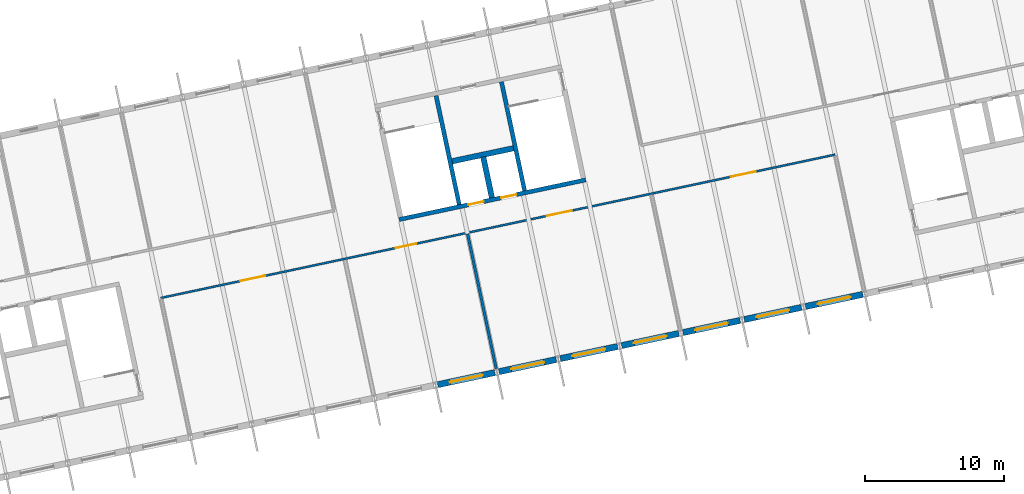
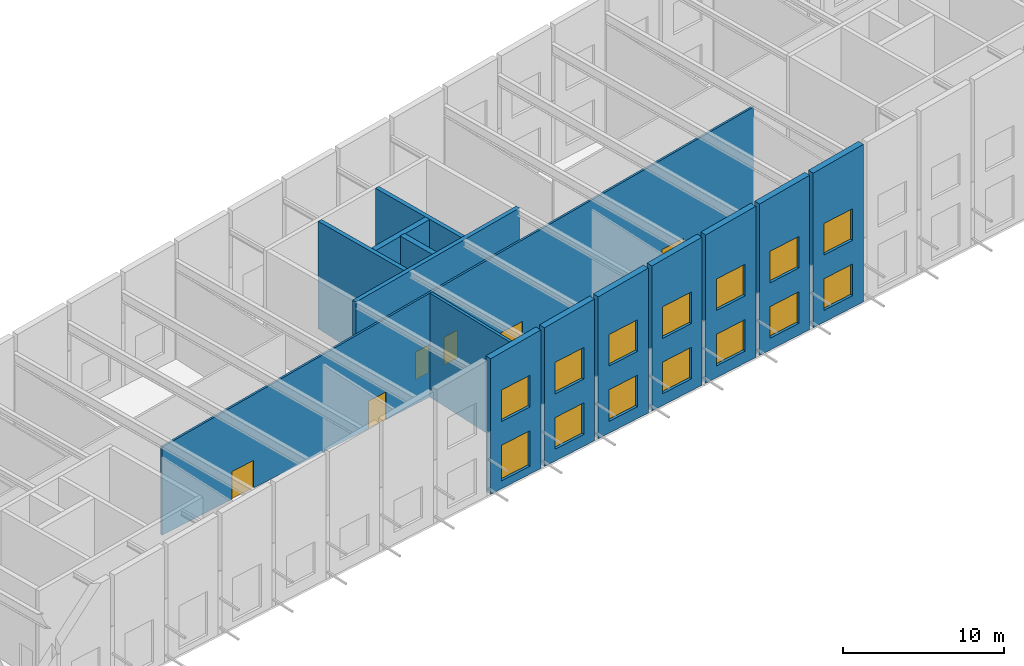
# One storey, part 42 of 69: 14 walls, 14 windows, 6 doors, 20 openings.
"""IFC4 building model written with IfcOpenShell, lengths in metres."""

from ifc_helpers import new_model, si_unit, direction, frame, frame_2d, origin, place, context, subcontext, project, spatial, polyline, rectangle, outline, extrude, material, layer, layer_set, type_object, element, fill, save


model = new_model("IFC4")

# Units and contexts
model_context = context("Model", 3, precision=1e-05, world=origin(), true_north=direction((0.0, 1.0)))
body_context = subcontext(model_context, "Body", "Model", "MODEL_VIEW")
ifc_project = project(units=[si_unit("LENGTHUNIT", "METRE"), si_unit("AREAUNIT", "SQUARE_METRE"), si_unit("VOLUMEUNIT", "CUBIC_METRE"), si_unit("PLANEANGLEUNIT", "RADIAN"), si_unit("MASSUNIT", "GRAM", prefix="KILO")], contexts=[model_context])

# Site, building, storey
site_placement = place(None, origin())
site = spatial("IfcSite", under=ifc_project, at=site_placement, CompositionType="ELEMENT")
building_placement = place(site_placement, origin())
building = spatial("IfcBuilding", under=site, at=building_placement, Name="Okhra Congress Centre", CompositionType="ELEMENT")
storey_placement = place(building_placement, frame((0.0, 0.0, 16.800048828125)))
storey = spatial("IfcBuildingStorey", under=building, at=storey_placement, Name="L03", CompositionType="ELEMENT", Elevation=16.800048828125)

# Wall
ifc_material_1 = material(Name="Double gypsum board on steel studs with mineral wool", Category="steel")
ifc_layer_1 = layer(ifc_material_1, 0.199951171875)
ifc_layer_set_1 = layer_set([ifc_layer_1], Name="Acoustic partition 200")
wall_type_1 = type_object("IfcWallType", Name="Acoustic partition 200", PredefinedType="PARTITIONING", material=ifc_layer_set_1)
wall_1_placement = place(storey_placement, frame((104.98095703125, 36.38525390625, 0.0), z_axis=(0.0, 0.0, 1.0), x_axis=(-0.207927890391, 0.978144157268, 0.0)))
element("IfcWall", 1, at=wall_1_placement, inside=storey, type_object=wall_type_1, Name="Partition S L03", PredefinedType="PARTITIONING", context=body_context, shape_type="SweptSolid", body=[
    extrude(outline(polyline([(0.0, 0.0), (9.92529296875, 0.0), (9.925048828125, 7.895751953125), (0.0, 8.09716796875), (0.0, 0.0)])), frame((0.0, 0.10009765625, 0.0), z_axis=(0.0, -1.0, 0.0), x_axis=(1.0, 0.0, 0.0)), (0.0, 0.0, 1.0), 0.199951171875),
])

# Wall, openings, windows
ifc_material_2 = material(Name="Insulated metal panel on steel stud (mineral wool, vapour barrier)", Category="steel")
ifc_layer_2 = layer(ifc_material_2, 0.449951171875)
ifc_layer_set_2 = layer_set([ifc_layer_2], Name="Insulated wall 450")
wall_type_2 = type_object("IfcWallType", Name="Insulated wall 450", PredefinedType="SOLIDWALL", material=ifc_layer_set_2)
wall_2_placement = place(storey_placement, frame((100.772705078125, 35.2607421875, 0.0), z_axis=(0.0, 0.0, 1.0), x_axis=(0.978143927149, 0.207928972925, 0.0)))
wall_2 = element("IfcWall", 2, at=wall_2_placement, inside=storey, type_object=wall_type_2, Name="External wall S10 L03", PredefinedType="SOLIDWALL", context=body_context, shape_type="SweptSolid", body=[
    extrude(outline(polyline([(0.0, 0.0), (4.199951171875, 0.0), (4.199951171875, 10.519775390625), (0.0, 10.294921875), (0.0, 0.0)])), frame((0.0, 0.22509765625, 0.0), z_axis=(0.0, -1.0, 0.0), x_axis=(1.0, 0.0, 0.0)), (0.0, 0.0, 1.0), 0.449951171875),
])
opening_1_placement = place(wall_2_placement, frame((0.89990234375, 0.0, 0.60009765625)))
opening_1 = element("IfcOpeningElement", 3, at=opening_1_placement, cuts=wall_2, Name="Opening WN23", PredefinedType="OPENING", context=body_context, shape_type="SweptSolid", body=[
    extrude(rectangle(XDim=2.39990234375, YDim=2.699951171875, at=frame_2d((1.199951171875, 1.35009765625))), frame((0.0, 0.23486328125, 0.0), z_axis=(0.0, -1.0, 0.0), x_axis=(1.0, 0.0, 0.0)), (0.0, 0.0, 1.0), 0.469970703125),
])
opening_2_placement = place(wall_2_placement, frame((0.89990234375, 0.0, 5.10009765625)))
opening_2 = element("IfcOpeningElement", 4, at=opening_2_placement, cuts=wall_2, Name="Opening WN22", PredefinedType="OPENING", context=body_context, shape_type="SweptSolid", body=[
    extrude(rectangle(XDim=2.39990234375, YDim=2.39990234375, at=frame_2d((1.199951171875, 1.199951171875))), frame((0.0, 0.23486328125, 0.0), z_axis=(0.0, -1.0, 0.0), x_axis=(1.0, 0.0, 0.0)), (0.0, 0.0, 1.0), 0.469970703125),
])
ifc_material_3 = material(Name="Thermally broken aluminium frame, triple glazing", Category="aluminium")
window_type_1 = type_object("IfcWindowType", Name="Casement window 2400x2700", PartitioningType="SINGLE_PANEL", PredefinedType="WINDOW", material=ifc_material_3)
window_1_placement = place(opening_1_placement, origin())
window_1 = element("IfcWindow", 5, at=window_1_placement, inside=storey, type_object=window_type_1, Name="BX.WIN.L03.11", OverallHeight=2.699951171875, OverallWidth=2.39990234375, PartitioningType="SINGLE_PANEL", PredefinedType="WINDOW", context=body_context, shape_type="SweptSolid", body=[
    extrude(rectangle(XDim=2.39990234375, YDim=2.699951171875, at=frame_2d((1.199951171875, 1.35009765625))), frame((0.0, 0.030029296875, 0.0), z_axis=(0.0, -1.0, 0.0), x_axis=(1.0, 0.0, 0.0)), (0.0, 0.0, 1.0), 0.06005859375),
])
fill(opening_1, window_1)
window_type_2 = type_object("IfcWindowType", Name="Fixed window 2400x2400", PartitioningType="SINGLE_PANEL", PredefinedType="WINDOW", material=ifc_material_3)
window_2_placement = place(opening_2_placement, origin())
window_2 = element("IfcWindow", 6, at=window_2_placement, inside=storey, type_object=window_type_2, Name="BX.WIN.L03.12", OverallHeight=2.39990234375, OverallWidth=2.39990234375, PartitioningType="SINGLE_PANEL", PredefinedType="WINDOW", context=body_context, shape_type="SweptSolid", body=[
    extrude(rectangle(XDim=2.39990234375, YDim=2.39990234375, at=frame_2d((1.199951171875, 1.199951171875))), frame((0.0, 0.030029296875, 0.0), z_axis=(0.0, -1.0, 0.0), x_axis=(1.0, 0.0, 0.0)), (0.0, 0.0, 1.0), 0.06005859375),
])
fill(opening_2, window_2)

wall_3_placement = place(storey_placement, frame((105.17431640625, 36.196533203125, 0.0), z_axis=(0.0, 0.0, 1.0), x_axis=(0.978155748334, 0.207873355681, 0.0)))
wall_3 = element("IfcWall", 7, at=wall_3_placement, inside=storey, type_object=wall_type_2, Name="External wall S11 L03", PredefinedType="SOLIDWALL", context=body_context, shape_type="SweptSolid", body=[
    extrude(outline(polyline([(0.0, 0.0), (4.199951171875, 0.0), (4.199951171875, 10.760498046875), (0.0, 10.53564453125), (0.0, 0.0)])), frame((0.0, 0.22509765625, 0.0), z_axis=(0.0, -1.0, 0.0), x_axis=(1.0, 0.0, 0.0)), (0.0, 0.0, 1.0), 0.449951171875),
])
opening_3_placement = place(wall_3_placement, frame((0.89990234375, 0.0, 0.89990234375)))
opening_3 = element("IfcOpeningElement", 8, at=opening_3_placement, cuts=wall_3, Name="Opening WN22", PredefinedType="OPENING", context=body_context, shape_type="SweptSolid", body=[
    extrude(rectangle(XDim=2.39990234375, YDim=2.39990234375, at=frame_2d((1.199951171875, 1.199951171875))), frame((0.0, 0.23486328125, 0.0), z_axis=(0.0, -1.0, 0.0), x_axis=(1.0, 0.0, 0.0)), (0.0, 0.0, 1.0), 0.469970703125),
])
opening_4_placement = place(wall_3_placement, frame((0.89990234375, 0.0, 5.10009765625)))
opening_4 = element("IfcOpeningElement", 9, at=opening_4_placement, cuts=wall_3, Name="Opening WN22", PredefinedType="OPENING", context=body_context, shape_type="SweptSolid", body=[
    extrude(rectangle(XDim=2.39990234375, YDim=2.39990234375, at=frame_2d((1.199951171875, 1.199951171875))), frame((0.0, 0.23486328125, 0.0), z_axis=(0.0, -1.0, 0.0), x_axis=(1.0, 0.0, 0.0)), (0.0, 0.0, 1.0), 0.469970703125),
])
window_3_placement = place(opening_3_placement, origin())
window_3 = element("IfcWindow", 10, at=window_3_placement, inside=storey, type_object=window_type_2, Name="BX.WIN.L03.13", OverallHeight=2.39990234375, OverallWidth=2.39990234375, PartitioningType="SINGLE_PANEL", PredefinedType="WINDOW", context=body_context, shape_type="SweptSolid", body=[
    extrude(rectangle(XDim=2.39990234375, YDim=2.39990234375, at=frame_2d((1.199951171875, 1.199951171875))), frame((0.0, 0.030029296875, 0.0), z_axis=(0.0, -1.0, 0.0), x_axis=(1.0, 0.0, 0.0)), (0.0, 0.0, 1.0), 0.06005859375),
])
fill(opening_3, window_3)
window_4_placement = place(opening_4_placement, origin())
window_4 = element("IfcWindow", 11, at=window_4_placement, inside=storey, type_object=window_type_2, Name="BX.WIN.L03.14", OverallHeight=2.39990234375, OverallWidth=2.39990234375, PartitioningType="SINGLE_PANEL", PredefinedType="WINDOW", context=body_context, shape_type="SweptSolid", body=[
    extrude(rectangle(XDim=2.39990234375, YDim=2.39990234375, at=frame_2d((1.199951171875, 1.199951171875))), frame((0.0, 0.030029296875, 0.0), z_axis=(0.0, -1.0, 0.0), x_axis=(1.0, 0.0, 0.0)), (0.0, 0.0, 1.0), 0.06005859375),
])
fill(opening_4, window_4)

wall_4_placement = place(storey_placement, frame((109.575927734375, 37.132080078125, 0.0), z_axis=(0.0, 0.0, 1.0), x_axis=(0.978146440129, 0.207917150959, 0.0)))
wall_4 = element("IfcWall", 12, at=wall_4_placement, inside=storey, type_object=wall_type_2, Name="External wall S12 L03", PredefinedType="SOLIDWALL", context=body_context, shape_type="SweptSolid", body=[
    extrude(outline(polyline([(0.0, 0.0), (4.2001953125, 0.0), (4.199951171875, 11.001220703125), (0.0, 10.7763671875), (0.0, 0.0)])), frame((0.0, 0.22509765625, 0.0), z_axis=(0.0, -1.0, 0.0), x_axis=(1.0, 0.0, 0.0)), (0.0, 0.0, 1.0), 0.449951171875),
])
opening_5_placement = place(wall_4_placement, frame((0.89990234375, 0.0, 0.89990234375)))
opening_5 = element("IfcOpeningElement", 13, at=opening_5_placement, cuts=wall_4, Name="Opening WN22", PredefinedType="OPENING", context=body_context, shape_type="SweptSolid", body=[
    extrude(rectangle(XDim=2.39990234375, YDim=2.39990234375, at=frame_2d((1.199951171875, 1.199951171875))), frame((0.0, 0.23486328125, 0.0), z_axis=(0.0, -1.0, 0.0), x_axis=(1.0, 0.0, 0.0)), (0.0, 0.0, 1.0), 0.469970703125),
])
opening_6_placement = place(wall_4_placement, frame((0.89990234375, 0.0, 5.10009765625)))
opening_6 = element("IfcOpeningElement", 14, at=opening_6_placement, cuts=wall_4, Name="Opening WN22", PredefinedType="OPENING", context=body_context, shape_type="SweptSolid", body=[
    extrude(rectangle(XDim=2.39990234375, YDim=2.39990234375, at=frame_2d((1.199951171875, 1.199951171875))), frame((0.0, 0.23486328125, 0.0), z_axis=(0.0, -1.0, 0.0), x_axis=(1.0, 0.0, 0.0)), (0.0, 0.0, 1.0), 0.469970703125),
])
window_5_placement = place(opening_5_placement, origin())
window_5 = element("IfcWindow", 15, at=window_5_placement, inside=storey, type_object=window_type_2, Name="BX.WIN.L03.15", OverallHeight=2.39990234375, OverallWidth=2.39990234375, PartitioningType="SINGLE_PANEL", PredefinedType="WINDOW", context=body_context, shape_type="SweptSolid", body=[
    extrude(rectangle(XDim=2.39990234375, YDim=2.39990234375, at=frame_2d((1.199951171875, 1.199951171875))), frame((0.0, 0.030029296875, 0.0), z_axis=(0.0, -1.0, 0.0), x_axis=(1.0, 0.0, 0.0)), (0.0, 0.0, 1.0), 0.06005859375),
])
fill(opening_5, window_5)
window_6_placement = place(opening_6_placement, origin())
window_6 = element("IfcWindow", 16, at=window_6_placement, inside=storey, type_object=window_type_2, Name="BX.WIN.L03.16", OverallHeight=2.39990234375, OverallWidth=2.39990234375, PartitioningType="SINGLE_PANEL", PredefinedType="WINDOW", context=body_context, shape_type="SweptSolid", body=[
    extrude(rectangle(XDim=2.39990234375, YDim=2.39990234375, at=frame_2d((1.199951171875, 1.199951171875))), frame((0.0, 0.030029296875, 0.0), z_axis=(0.0, -1.0, 0.0), x_axis=(1.0, 0.0, 0.0)), (0.0, 0.0, 1.0), 0.06005859375),
])
fill(opening_6, window_6)

wall_5_placement = place(storey_placement, frame((113.977783203125, 38.067626953125, 0.0), z_axis=(0.0, 0.0, 1.0), x_axis=(0.978143927149, 0.207928972925, 0.0)))
wall_5 = element("IfcWall", 17, at=wall_5_placement, inside=storey, type_object=wall_type_2, Name="External wall S13 L03", PredefinedType="SOLIDWALL", context=body_context, shape_type="SweptSolid", body=[
    extrude(outline(polyline([(0.0, 0.0), (4.199951171875, 0.0), (4.199951171875, 11.241943359375), (0.0, 11.017333984375), (0.0, 0.0)])), frame((0.0, 0.22509765625, 0.0), z_axis=(0.0, -1.0, 0.0), x_axis=(1.0, 0.0, 0.0)), (0.0, 0.0, 1.0), 0.449951171875),
])
opening_7_placement = place(wall_5_placement, frame((0.89990234375, 0.0, 0.89990234375)))
opening_7 = element("IfcOpeningElement", 18, at=opening_7_placement, cuts=wall_5, Name="Opening WN22", PredefinedType="OPENING", context=body_context, shape_type="SweptSolid", body=[
    extrude(rectangle(XDim=2.39990234375, YDim=2.39990234375, at=frame_2d((1.199951171875, 1.199951171875))), frame((0.0, 0.23486328125, 0.0), z_axis=(0.0, -1.0, 0.0), x_axis=(1.0, 0.0, 0.0)), (0.0, 0.0, 1.0), 0.469970703125),
])
opening_8_placement = place(wall_5_placement, frame((0.89990234375, 0.0, 5.10009765625)))
opening_8 = element("IfcOpeningElement", 19, at=opening_8_placement, cuts=wall_5, Name="Opening WN22", PredefinedType="OPENING", context=body_context, shape_type="SweptSolid", body=[
    extrude(rectangle(XDim=2.39990234375, YDim=2.39990234375, at=frame_2d((1.199951171875, 1.199951171875))), frame((0.0, 0.23486328125, 0.0), z_axis=(0.0, -1.0, 0.0), x_axis=(1.0, 0.0, 0.0)), (0.0, 0.0, 1.0), 0.469970703125),
])
window_7_placement = place(opening_7_placement, origin())
window_7 = element("IfcWindow", 20, at=window_7_placement, inside=storey, type_object=window_type_2, Name="BX.WIN.L03.17", OverallHeight=2.39990234375, OverallWidth=2.39990234375, PartitioningType="SINGLE_PANEL", PredefinedType="WINDOW", context=body_context, shape_type="SweptSolid", body=[
    extrude(rectangle(XDim=2.39990234375, YDim=2.39990234375, at=frame_2d((1.199951171875, 1.199951171875))), frame((0.0, 0.030029296875, 0.0), z_axis=(0.0, -1.0, 0.0), x_axis=(1.0, 0.0, 0.0)), (0.0, 0.0, 1.0), 0.06005859375),
])
fill(opening_7, window_7)
window_8_placement = place(opening_8_placement, origin())
window_8 = element("IfcWindow", 21, at=window_8_placement, inside=storey, type_object=window_type_2, Name="BX.WIN.L03.18", OverallHeight=2.39990234375, OverallWidth=2.39990234375, PartitioningType="SINGLE_PANEL", PredefinedType="WINDOW", context=body_context, shape_type="SweptSolid", body=[
    extrude(rectangle(XDim=2.39990234375, YDim=2.39990234375, at=frame_2d((1.199951171875, 1.199951171875))), frame((0.0, 0.030029296875, 0.0), z_axis=(0.0, -1.0, 0.0), x_axis=(1.0, 0.0, 0.0)), (0.0, 0.0, 1.0), 0.06005859375),
])
fill(opening_8, window_8)

wall_6_placement = place(storey_placement, frame((118.37939453125, 39.003173828125, 0.0), z_axis=(0.0, 0.0, 1.0), x_axis=(0.978143927149, 0.207928972925, 0.0)))
wall_6 = element("IfcWall", 22, at=wall_6_placement, inside=storey, type_object=wall_type_2, Name="External wall S14 L03", PredefinedType="SOLIDWALL", context=body_context, shape_type="SweptSolid", body=[
    extrude(outline(polyline([(0.0, 0.0), (4.199951171875, 0.0), (4.199951171875, 11.482666015625), (0.0, 11.258056640625), (0.0, 0.0)])), frame((0.0, 0.22509765625, 0.0), z_axis=(0.0, -1.0, 0.0), x_axis=(1.0, 0.0, 0.0)), (0.0, 0.0, 1.0), 0.449951171875),
])
opening_9_placement = place(wall_6_placement, frame((0.89990234375, 0.0, 0.89990234375)))
opening_9 = element("IfcOpeningElement", 23, at=opening_9_placement, cuts=wall_6, Name="Opening WN22", PredefinedType="OPENING", context=body_context, shape_type="SweptSolid", body=[
    extrude(rectangle(XDim=2.39990234375, YDim=2.39990234375, at=frame_2d((1.199951171875, 1.199951171875))), frame((0.0, 0.23486328125, 0.0), z_axis=(0.0, -1.0, 0.0), x_axis=(1.0, 0.0, 0.0)), (0.0, 0.0, 1.0), 0.469970703125),
])
opening_10_placement = place(wall_6_placement, frame((0.89990234375, 0.0, 5.10009765625)))
opening_10 = element("IfcOpeningElement", 24, at=opening_10_placement, cuts=wall_6, Name="Opening WN22", PredefinedType="OPENING", context=body_context, shape_type="SweptSolid", body=[
    extrude(rectangle(XDim=2.39990234375, YDim=2.39990234375, at=frame_2d((1.199951171875, 1.199951171875))), frame((0.0, 0.23486328125, 0.0), z_axis=(0.0, -1.0, 0.0), x_axis=(1.0, 0.0, 0.0)), (0.0, 0.0, 1.0), 0.469970703125),
])
window_9_placement = place(opening_9_placement, origin())
window_9 = element("IfcWindow", 25, at=window_9_placement, inside=storey, type_object=window_type_2, Name="BX.WIN.L03.19", OverallHeight=2.39990234375, OverallWidth=2.39990234375, PartitioningType="SINGLE_PANEL", PredefinedType="WINDOW", context=body_context, shape_type="SweptSolid", body=[
    extrude(rectangle(XDim=2.39990234375, YDim=2.39990234375, at=frame_2d((1.199951171875, 1.199951171875))), frame((0.0, 0.030029296875, 0.0), z_axis=(0.0, -1.0, 0.0), x_axis=(1.0, 0.0, 0.0)), (0.0, 0.0, 1.0), 0.06005859375),
])
fill(opening_9, window_9)
window_10_placement = place(opening_10_placement, origin())
window_10 = element("IfcWindow", 26, at=window_10_placement, inside=storey, type_object=window_type_2, Name="BX.WIN.L03.20", OverallHeight=2.39990234375, OverallWidth=2.39990234375, PartitioningType="SINGLE_PANEL", PredefinedType="WINDOW", context=body_context, shape_type="SweptSolid", body=[
    extrude(rectangle(XDim=2.39990234375, YDim=2.39990234375, at=frame_2d((1.199951171875, 1.199951171875))), frame((0.0, 0.030029296875, 0.0), z_axis=(0.0, -1.0, 0.0), x_axis=(1.0, 0.0, 0.0)), (0.0, 0.0, 1.0), 0.06005859375),
])
fill(opening_10, window_10)

wall_7_placement = place(storey_placement, frame((122.781005859375, 39.93896484375, 0.0), z_axis=(0.0, 0.0, 1.0), x_axis=(0.978155748334, 0.207873355681, 0.0)))
wall_7 = element("IfcWall", 27, at=wall_7_placement, inside=storey, type_object=wall_type_2, Name="External wall S15 L03", PredefinedType="SOLIDWALL", context=body_context, shape_type="SweptSolid", body=[
    extrude(outline(polyline([(0.0, 0.0), (4.199951171875, 0.0), (4.199951171875, 11.723388671875), (0.0, 11.498779296875), (0.0, 0.0)])), frame((0.0, 0.22509765625, 0.0), z_axis=(0.0, -1.0, 0.0), x_axis=(1.0, 0.0, 0.0)), (0.0, 0.0, 1.0), 0.449951171875),
])
opening_11_placement = place(wall_7_placement, frame((0.89990234375, 0.0, 0.89990234375)))
opening_11 = element("IfcOpeningElement", 28, at=opening_11_placement, cuts=wall_7, Name="Opening WN22", PredefinedType="OPENING", context=body_context, shape_type="SweptSolid", body=[
    extrude(rectangle(XDim=2.39990234375, YDim=2.39990234375, at=frame_2d((1.199951171875, 1.199951171875))), frame((0.0, 0.23486328125, 0.0), z_axis=(0.0, -1.0, 0.0), x_axis=(1.0, 0.0, 0.0)), (0.0, 0.0, 1.0), 0.469970703125),
])
opening_12_placement = place(wall_7_placement, frame((0.89990234375, 0.0, 5.10009765625)))
opening_12 = element("IfcOpeningElement", 29, at=opening_12_placement, cuts=wall_7, Name="Opening WN22", PredefinedType="OPENING", context=body_context, shape_type="SweptSolid", body=[
    extrude(rectangle(XDim=2.39990234375, YDim=2.39990234375, at=frame_2d((1.199951171875, 1.199951171875))), frame((0.0, 0.23486328125, 0.0), z_axis=(0.0, -1.0, 0.0), x_axis=(1.0, 0.0, 0.0)), (0.0, 0.0, 1.0), 0.469970703125),
])
window_11_placement = place(opening_11_placement, origin())
window_11 = element("IfcWindow", 30, at=window_11_placement, inside=storey, type_object=window_type_2, Name="BX.WIN.L03.21", OverallHeight=2.39990234375, OverallWidth=2.39990234375, PartitioningType="SINGLE_PANEL", PredefinedType="WINDOW", context=body_context, shape_type="SweptSolid", body=[
    extrude(rectangle(XDim=2.39990234375, YDim=2.39990234375, at=frame_2d((1.199951171875, 1.199951171875))), frame((0.0, 0.030029296875, 0.0), z_axis=(0.0, -1.0, 0.0), x_axis=(1.0, 0.0, 0.0)), (0.0, 0.0, 1.0), 0.06005859375),
])
fill(opening_11, window_11)
window_12_placement = place(opening_12_placement, origin())
window_12 = element("IfcWindow", 31, at=window_12_placement, inside=storey, type_object=window_type_2, Name="BX.WIN.L03.22", OverallHeight=2.39990234375, OverallWidth=2.39990234375, PartitioningType="SINGLE_PANEL", PredefinedType="WINDOW", context=body_context, shape_type="SweptSolid", body=[
    extrude(rectangle(XDim=2.39990234375, YDim=2.39990234375, at=frame_2d((1.199951171875, 1.199951171875))), frame((0.0, 0.030029296875, 0.0), z_axis=(0.0, -1.0, 0.0), x_axis=(1.0, 0.0, 0.0)), (0.0, 0.0, 1.0), 0.06005859375),
])
fill(opening_12, window_12)

wall_8_placement = place(storey_placement, frame((127.1826171875, 40.87451171875, 0.0), z_axis=(0.0, 0.0, 1.0), x_axis=(0.978146440129, 0.207917150959, 0.0)))
wall_8 = element("IfcWall", 32, at=wall_8_placement, inside=storey, type_object=wall_type_2, Name="External wall S16 L03", PredefinedType="SOLIDWALL", context=body_context, shape_type="SweptSolid", body=[
    extrude(outline(polyline([(0.0, 0.0), (4.2001953125, 0.0), (4.199951171875, 11.96435546875), (0.0, 11.739501953125), (0.0, 0.0)])), frame((0.0, 0.22509765625, 0.0), z_axis=(0.0, -1.0, 0.0), x_axis=(1.0, 0.0, 0.0)), (0.0, 0.0, 1.0), 0.449951171875),
])
opening_13_placement = place(wall_8_placement, frame((0.89990234375, 0.0, 0.89990234375)))
opening_13 = element("IfcOpeningElement", 33, at=opening_13_placement, cuts=wall_8, Name="Opening WN22", PredefinedType="OPENING", context=body_context, shape_type="SweptSolid", body=[
    extrude(rectangle(XDim=2.39990234375, YDim=2.39990234375, at=frame_2d((1.199951171875, 1.199951171875))), frame((0.0, 0.23486328125, 0.0), z_axis=(0.0, -1.0, 0.0), x_axis=(1.0, 0.0, 0.0)), (0.0, 0.0, 1.0), 0.469970703125),
])
opening_14_placement = place(wall_8_placement, frame((0.89990234375, 0.0, 5.10009765625)))
opening_14 = element("IfcOpeningElement", 34, at=opening_14_placement, cuts=wall_8, Name="Opening WN22", PredefinedType="OPENING", context=body_context, shape_type="SweptSolid", body=[
    extrude(rectangle(XDim=2.39990234375, YDim=2.39990234375, at=frame_2d((1.199951171875, 1.199951171875))), frame((0.0, 0.23486328125, 0.0), z_axis=(0.0, -1.0, 0.0), x_axis=(1.0, 0.0, 0.0)), (0.0, 0.0, 1.0), 0.469970703125),
])
window_13_placement = place(opening_13_placement, origin())
window_13 = element("IfcWindow", 35, at=window_13_placement, inside=storey, type_object=window_type_2, Name="BX.WIN.L03.23", OverallHeight=2.39990234375, OverallWidth=2.39990234375, PartitioningType="SINGLE_PANEL", PredefinedType="WINDOW", context=body_context, shape_type="SweptSolid", body=[
    extrude(rectangle(XDim=2.39990234375, YDim=2.39990234375, at=frame_2d((1.199951171875, 1.199951171875))), frame((0.0, 0.030029296875, 0.0), z_axis=(0.0, -1.0, 0.0), x_axis=(1.0, 0.0, 0.0)), (0.0, 0.0, 1.0), 0.06005859375),
])
fill(opening_13, window_13)
window_14_placement = place(opening_14_placement, origin())
window_14 = element("IfcWindow", 36, at=window_14_placement, inside=storey, type_object=window_type_2, Name="BX.WIN.L03.24", OverallHeight=2.39990234375, OverallWidth=2.39990234375, PartitioningType="SINGLE_PANEL", PredefinedType="WINDOW", context=body_context, shape_type="SweptSolid", body=[
    extrude(rectangle(XDim=2.39990234375, YDim=2.39990234375, at=frame_2d((1.199951171875, 1.199951171875))), frame((0.0, 0.030029296875, 0.0), z_axis=(0.0, -1.0, 0.0), x_axis=(1.0, 0.0, 0.0)), (0.0, 0.0, 1.0), 0.06005859375),
])
fill(opening_14, window_14)

# Wall, openings, doors
ifc_material_4 = material(Name="Gypsum board on steel studs", Category="steel")
ifc_layer_3 = layer(ifc_material_4, 0.14990234375)
ifc_layer_set_3 = layer_set([ifc_layer_3], Name="Partition 150 EI 15")
wall_type_3 = type_object("IfcWallType", Name="Partition 150 EI 15", PredefinedType="PARTITIONING", material=ifc_layer_set_3)
wall_9_placement = place(storey_placement, frame((80.893310546875, 41.48876953125, 0.0), z_axis=(0.0, 0.0, 1.0), x_axis=(0.97814724207, 0.20791337819, 0.0)))
wall_9 = element("IfcWall", 37, at=wall_9_placement, inside=storey, type_object=wall_type_3, Name="Corridor wall S1 L03", PredefinedType="PARTITIONING", context=body_context, shape_type="SweptSolid", body=[
    extrude(outline(polyline([(0.0, 0.0), (49.500244140625, 0.0), (49.5, 9.33642578125), (0.0, 6.68798828125), (0.0, 0.0)])), frame((0.0, 0.074951171875, 0.0), z_axis=(0.0, -1.0, 0.0), x_axis=(1.0, 0.0, 0.0)), (0.0, 0.0, 1.0), 0.14990234375),
])
opening_15_placement = place(wall_9_placement, frame((5.85009765625, 0.0, 0.0)))
opening_15 = element("IfcOpeningElement", 38, at=opening_15_placement, cuts=wall_9, Name="Opening L03-044", PredefinedType="OPENING", context=body_context, shape_type="SweptSolid", body=[
    extrude(rectangle(XDim=1.800048828125, YDim=2.10009765625, at=frame_2d((0.89990234375, 1.050048828125))), frame((0.0, 0.0849609375, 0.0), z_axis=(0.0, -1.0, 0.0), x_axis=(1.0, 0.0, 0.0)), (0.0, 0.0, 1.0), 0.169921875),
])
opening_16_placement = place(wall_9_placement, frame((17.25, 0.0, 0.0)))
opening_16 = element("IfcOpeningElement", 39, at=opening_16_placement, cuts=wall_9, Name="Opening L03-045", PredefinedType="OPENING", context=body_context, shape_type="SweptSolid", body=[
    extrude(rectangle(XDim=1.5, YDim=2.10009765625, at=frame_2d((0.75, 1.050048828125))), frame((0.0, 0.0849609375, 0.0), z_axis=(0.0, -1.0, 0.0), x_axis=(1.0, 0.0, 0.0)), (0.0, 0.0, 1.0), 0.169921875),
])
opening_17_placement = place(wall_9_placement, frame((28.35009765625, 0.0, 0.0)))
opening_17 = element("IfcOpeningElement", 40, at=opening_17_placement, cuts=wall_9, Name="Opening L03-046", PredefinedType="OPENING", context=body_context, shape_type="SweptSolid", body=[
    extrude(rectangle(XDim=1.800048828125, YDim=2.10009765625, at=frame_2d((0.89990234375, 1.050048828125))), frame((0.0, 0.0849609375, 0.0), z_axis=(0.0, -1.0, 0.0), x_axis=(1.0, 0.0, 0.0)), (0.0, 0.0, 1.0), 0.169921875),
])
opening_18_placement = place(wall_9_placement, frame((41.85009765625, 0.0, 0.0)))
opening_18 = element("IfcOpeningElement", 41, at=opening_18_placement, cuts=wall_9, Name="Opening L03-047", PredefinedType="OPENING", context=body_context, shape_type="SweptSolid", body=[
    extrude(rectangle(XDim=1.800048828125, YDim=2.10009765625, at=frame_2d((0.89990234375, 1.050048828125))), frame((0.0, 0.0849609375, 0.0), z_axis=(0.0, -1.0, 0.0), x_axis=(1.0, 0.0, 0.0)), (0.0, 0.0, 1.0), 0.169921875),
])
ifc_material_5 = material(Name="Timber door leaves in steel frame", Category="steel")
door_type_1 = type_object("IfcDoorType", Name="Double swing door 1500x2100", OperationType="NOTDEFINED", PredefinedType="DOOR", material=ifc_material_5)
door_1_placement = place(opening_16_placement, origin())
door_1 = element("IfcDoor", 42, at=door_1_placement, inside=storey, type_object=door_type_1, Name="Door L03-045", OperationType="DOUBLE_DOOR_SINGLE_SWING", OverallHeight=2.10009765625, OverallWidth=1.5, PredefinedType="DOOR", context=body_context, shape_type="SweptSolid", body=[
    extrude(rectangle(XDim=1.5, YDim=2.10009765625, at=frame_2d((0.75, 1.050048828125))), frame((0.0, 0.02490234375, 0.0), z_axis=(0.0, -1.0, 0.0), x_axis=(1.0, 0.0, 0.0)), (0.0, 0.0, 1.0), 0.050048828125),
])
fill(opening_16, door_1)
door_type_2 = type_object("IfcDoorType", Name="Double swing door 1800x2100", OperationType="NOTDEFINED", PredefinedType="DOOR", material=ifc_material_5)
door_2_placement = place(opening_15_placement, origin())
door_2 = element("IfcDoor", 43, at=door_2_placement, inside=storey, type_object=door_type_2, Name="Door L03-044", OperationType="DOUBLE_DOOR_SINGLE_SWING", OverallHeight=2.10009765625, OverallWidth=1.800048828125, PredefinedType="DOOR", context=body_context, shape_type="SweptSolid", body=[
    extrude(rectangle(XDim=1.800048828125, YDim=2.10009765625, at=frame_2d((0.89990234375, 1.050048828125))), frame((0.0, 0.02490234375, 0.0), z_axis=(0.0, -1.0, 0.0), x_axis=(1.0, 0.0, 0.0)), (0.0, 0.0, 1.0), 0.050048828125),
])
fill(opening_15, door_2)
door_3_placement = place(opening_17_placement, origin())
door_3 = element("IfcDoor", 44, at=door_3_placement, inside=storey, type_object=door_type_2, Name="Door L03-046", OperationType="DOUBLE_DOOR_SINGLE_SWING", OverallHeight=2.10009765625, OverallWidth=1.800048828125, PredefinedType="DOOR", context=body_context, shape_type="SweptSolid", body=[
    extrude(rectangle(XDim=1.800048828125, YDim=2.10009765625, at=frame_2d((0.89990234375, 1.050048828125))), frame((0.0, 0.02490234375, 0.0), z_axis=(0.0, -1.0, 0.0), x_axis=(1.0, 0.0, 0.0)), (0.0, 0.0, 1.0), 0.050048828125),
])
fill(opening_17, door_3)
door_4_placement = place(opening_18_placement, origin())
door_4 = element("IfcDoor", 45, at=door_4_placement, inside=storey, type_object=door_type_2, Name="Door L03-047", OperationType="DOUBLE_DOOR_SINGLE_SWING", OverallHeight=2.10009765625, OverallWidth=1.800048828125, PredefinedType="DOOR", context=body_context, shape_type="SweptSolid", body=[
    extrude(rectangle(XDim=1.800048828125, YDim=2.10009765625, at=frame_2d((0.89990234375, 1.050048828125))), frame((0.0, 0.02490234375, 0.0), z_axis=(0.0, -1.0, 0.0), x_axis=(1.0, 0.0, 0.0)), (0.0, 0.0, 1.0), 0.050048828125),
])
fill(opening_18, door_4)

ifc_material_6 = material(Name="Concrete C35/45", Category="concrete")
ifc_layer_4 = layer(ifc_material_6, 0.300048828125)
ifc_layer_set_4 = layer_set([ifc_layer_4], Name="RC core wall 300 REI 120 C35/45")
wall_type_4 = type_object("IfcWallType", Name="RC core wall 300 REI 120 C35/45", PredefinedType="SHEAR", material=ifc_layer_set_4)
wall_10_placement = place(storey_placement, frame((97.996826171875, 47.117919921875, 0.0), z_axis=(0.0, 0.0, 1.0), x_axis=(0.978147662755, 0.20791139903, 0.0)))
wall_10 = element("IfcWall", 46, at=wall_10_placement, inside=storey, type_object=wall_type_4, Name="BX.WALL.L03.K2T", PredefinedType="SHEAR", context=body_context, shape_type="SweptSolid", body=[
    extrude(outline(polyline([(0.0, 0.0), (13.699951171875, 0.0), (13.699951171875, 9.076416015625), (0.0, 8.343505859375), (0.0, 0.0)])), frame((0.0, 0.14990234375, 0.0), z_axis=(0.0, -1.0, 0.0), x_axis=(1.0, 0.0, 0.0)), (0.0, 0.0, 1.0), 0.300048828125),
])
opening_19_placement = place(wall_10_placement, frame((5.10009765625, 0.0, 0.0)))
opening_19 = element("IfcOpeningElement", 47, at=opening_19_placement, cuts=wall_10, Name="Opening L03-024", PredefinedType="OPENING", context=body_context, shape_type="SweptSolid", body=[
    extrude(rectangle(XDim=1.10009765625, YDim=2.10009765625, at=frame_2d((0.550048828125, 1.050048828125))), frame((0.0, 0.159912109375, 0.0), z_axis=(0.0, -1.0, 0.0), x_axis=(1.0, 0.0, 0.0)), (0.0, 0.0, 1.0), 0.320068359375),
])
opening_20_placement = place(wall_10_placement, frame((7.5, 0.0, 0.0)))
opening_20 = element("IfcOpeningElement", 48, at=opening_20_placement, cuts=wall_10, Name="Opening L03-025", PredefinedType="OPENING", context=body_context, shape_type="SweptSolid", body=[
    extrude(rectangle(XDim=1.10009765625, YDim=2.10009765625, at=frame_2d((0.550048828125, 1.050048828125))), frame((0.0, 0.159912109375, 0.0), z_axis=(0.0, -1.0, 0.0), x_axis=(1.0, 0.0, 0.0)), (0.0, 0.0, 1.0), 0.320068359375),
])
ifc_material_7 = material(Name="Stainless steel sliding landing door leaves", Category="steel")
door_type_3 = type_object("IfcDoorType", Name="Lift landing door 1100x2100 EI 30", OperationType="DOUBLE_DOOR_SLIDING", PredefinedType="DOOR", material=ifc_material_7)
door_5_placement = place(opening_19_placement, frame((1.10009765625, 0.0, 0.0), z_axis=(0.0, 0.0, 1.0), x_axis=(-1.0, 0.0, 0.0)))
door_5 = element("IfcDoor", 49, at=door_5_placement, inside=storey, type_object=door_type_3, Name="Door L03-024", OperationType="DOUBLE_DOOR_SLIDING", OverallHeight=2.10009765625, OverallWidth=1.10009765625, PredefinedType="DOOR", context=body_context, shape_type="SweptSolid", body=[
    extrude(rectangle(XDim=1.10009765625, YDim=2.10009765625, at=frame_2d((0.550048828125, 1.050048828125))), frame((0.0, 0.02490234375, 0.0), z_axis=(0.0, -1.0, 0.0), x_axis=(1.0, 0.0, 0.0)), (0.0, 0.0, 1.0), 0.050048828125),
])
fill(opening_19, door_5)
door_6_placement = place(opening_20_placement, frame((1.10009765625, 0.0, 0.0), z_axis=(0.0, 0.0, 1.0), x_axis=(-1.0, 0.0, 0.0)))
door_6 = element("IfcDoor", 50, at=door_6_placement, inside=storey, type_object=door_type_3, Name="Door L03-025", OperationType="DOUBLE_DOOR_SLIDING", OverallHeight=2.10009765625, OverallWidth=1.10009765625, PredefinedType="DOOR", context=body_context, shape_type="SweptSolid", body=[
    extrude(rectangle(XDim=1.10009765625, YDim=2.10009765625, at=frame_2d((0.550048828125, 1.050048828125))), frame((0.0, 0.02490234375, 0.0), z_axis=(0.0, -1.0, 0.0), x_axis=(1.0, 0.0, 0.0)), (0.0, 0.0, 1.0), 0.050048828125),
])
fill(opening_20, door_6)

# Walls
wall_11_placement = place(storey_placement, frame((100.655029296875, 56.014892578125, 0.0), z_axis=(0.0, 0.0, 1.0), x_axis=(0.207915693476, -0.978146749934, 0.0)))
element("IfcWall", 51, at=wall_11_placement, inside=storey, type_object=wall_type_4, Name="BX.WALL.L03.K2P1", PredefinedType="SHEAR", context=body_context, shape_type="SweptSolid", body=[
    extrude(outline(polyline([(0.0, 0.0), (8.0, 0.0), (8.0, 8.57373046875), (0.0, 8.154541015625), (0.0, 0.0)])), frame((0.0, 0.14990234375, 0.0), z_axis=(0.0, -1.0, 0.0), x_axis=(1.0, 0.0, 0.0)), (0.0, 0.0, 1.0), 0.300048828125),
])
wall_12_placement = place(storey_placement, frame((105.35009765625, 57.012939453125, 0.0), z_axis=(0.0, 0.0, 1.0), x_axis=(0.207915693476, -0.978146749934, 0.0)))
element("IfcWall", 52, at=wall_12_placement, inside=storey, type_object=wall_type_4, Name="BX.WALL.L03.K2P2", PredefinedType="SHEAR", context=body_context, shape_type="SweptSolid", body=[
    extrude(outline(polyline([(0.0, 0.0), (8.0, 0.0), (8.0, 8.83056640625), (0.0, 8.411376953125), (0.0, 0.0)])), frame((0.0, 0.14990234375, 0.0), z_axis=(0.0, -1.0, 0.0), x_axis=(1.0, 0.0, 0.0)), (0.0, 0.0, 1.0), 0.300048828125),
])
ifc_layer_5 = layer(ifc_material_6, 0.39990234375)
ifc_layer_set_5 = layer_set([ifc_layer_5], Name="RC core wall 400 REI 120 C35/45")
wall_type_5 = type_object("IfcWallType", Name="RC core wall 400 REI 120 C35/45", PredefinedType="SHEAR", material=ifc_layer_set_5)
wall_13_placement = place(storey_placement, frame((104.042236328125, 51.623291015625, 0.0), z_axis=(0.0, 0.0, 1.0), x_axis=(0.207917150959, -0.978146440129, 0.0)))
element("IfcWall", 53, at=wall_13_placement, inside=storey, type_object=wall_type_5, Name="BX.WALL.L03.K2D", PredefinedType="SHEAR", context=body_context, shape_type="SweptSolid", body=[
    extrude(outline(polyline([(0.0, 0.0), (3.000244140625, 0.0), (3.0, 8.7021484375), (0.0, 8.544921875), (0.0, 0.0)])), frame((0.0, 0.199951171875, 0.0), z_axis=(0.0, -1.0, 0.0), x_axis=(1.0, 0.0, 0.0)), (0.0, 0.0, 1.0), 0.39990234375),
])
wall_14_placement = place(storey_placement, frame((101.810302734375, 51.302001953125, 0.0), z_axis=(0.0, 0.0, 1.0), x_axis=(0.978138577198, 0.207954138688, 0.0)))
element("IfcWall", 54, at=wall_14_placement, inside=storey, type_object=wall_type_5, Name="BX.WALL.L03.K2R", PredefinedType="SHEAR", context=body_context, shape_type="SweptSolid", body=[
    extrude(outline(polyline([(0.0, 0.0), (4.5, 0.0), (4.5, 8.657470703125), (0.0, 8.416748046875), (0.0, 0.0)])), frame((0.0, 0.199951171875, 0.0), z_axis=(0.0, -1.0, 0.0), x_axis=(1.0, 0.0, 0.0)), (0.0, 0.0, 1.0), 0.39990234375),
])

save(model, "model.ifc")
